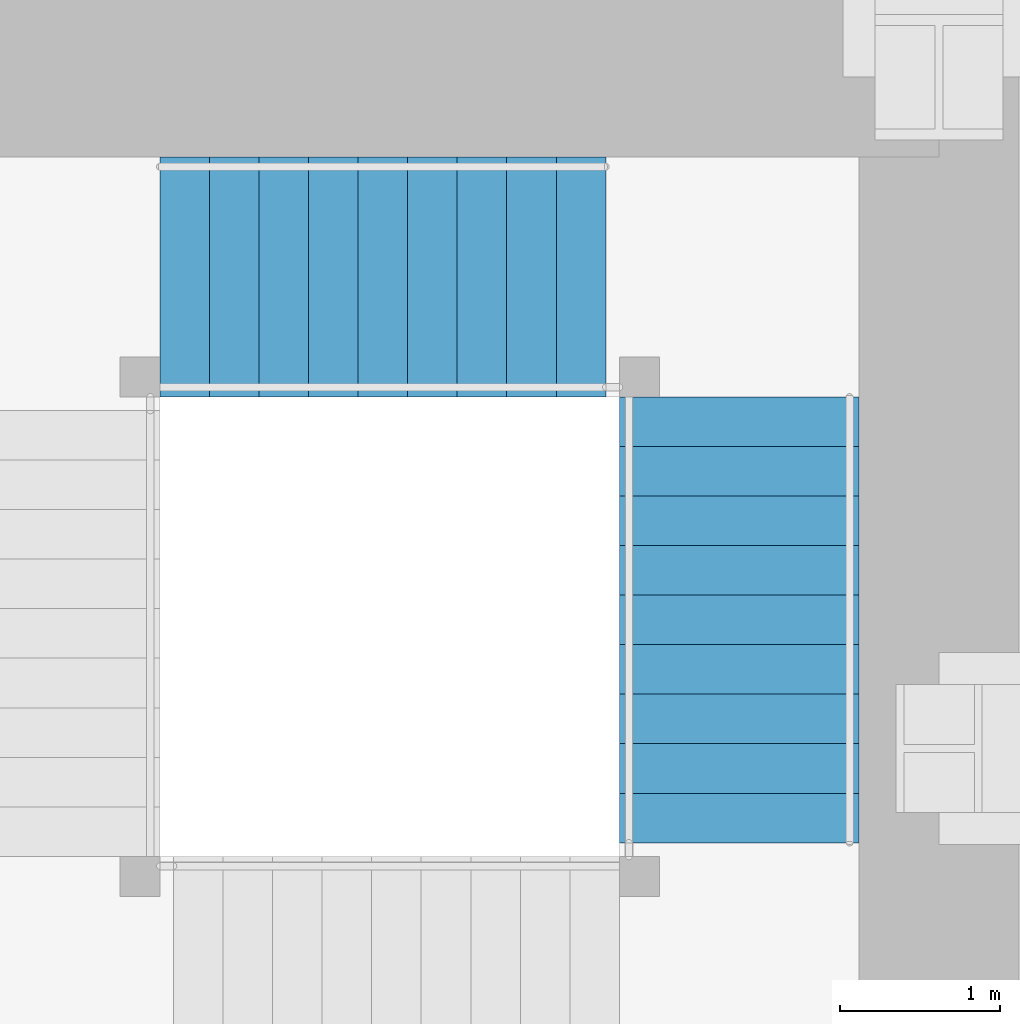
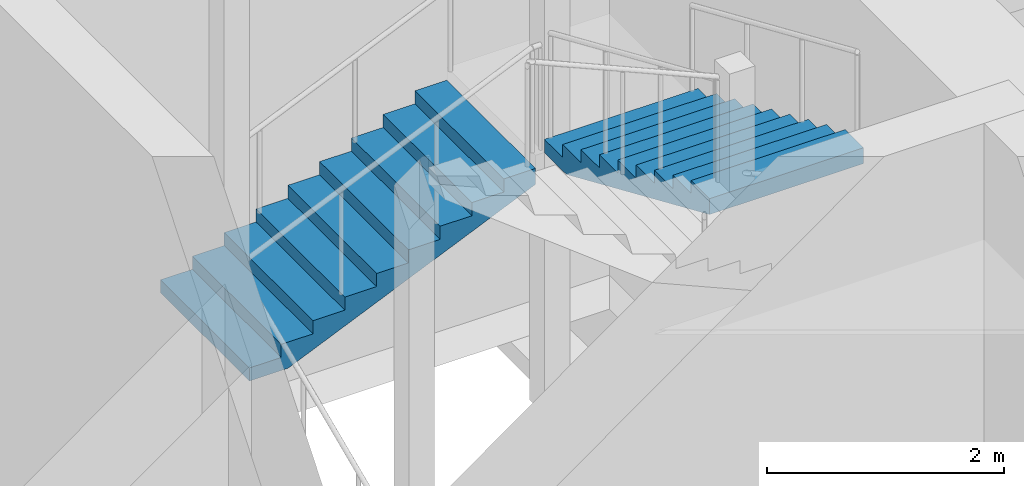
# One storey, part 13 of 16: 2 stair flights, 1 element without a shape of its own.
"""IFC4 building model written with IfcOpenShell, lengths in metres."""

from ifc_helpers import new_model, si_unit, direction, frame, origin, place, context, subcontext, project, spatial, polyline, outline, extrude, material, type_object, element, aggregate, save


model = new_model("IFC4")

# Units and contexts
model_context = context("Model", 3, precision=1e-05, world=origin(), true_north=direction((0.0, 1.0)))
body_context = subcontext(model_context, "Body", "Model", "MODEL_VIEW")
ifc_project = project(units=[si_unit("LENGTHUNIT", "METRE"), si_unit("AREAUNIT", "SQUARE_METRE"), si_unit("VOLUMEUNIT", "CUBIC_METRE"), si_unit("PLANEANGLEUNIT", "RADIAN"), si_unit("MASSUNIT", "GRAM", prefix="KILO")], contexts=[model_context])

# Site, building, storey
site_placement = place(None, origin())
site = spatial("IfcSite", under=ifc_project, at=site_placement, CompositionType="ELEMENT")
building_placement = place(site_placement, origin())
building = spatial("IfcBuilding", under=site, at=building_placement, Name="Rekha Terrace Tower", CompositionType="ELEMENT")
storey_placement = place(building_placement, frame((0.0, 0.0, 162.800048828125)))
storey = spatial("IfcBuildingStorey", under=building, at=storey_placement, Name="L41", CompositionType="ELEMENT", Elevation=162.800048828125)

# Stair, stair flights
ifc_material = material(Name="Concrete M40", Category="concrete")
stair_type = type_object("IfcStairType", Name="ST40 stair, 40 risers of 135, going 310, 1500 wide flights, 4 flights", PredefinedType="QUARTER_TURN_STAIR", material=ifc_material)
stair_placement = place(storey_placement, origin())
stair = element("IfcStair", 1, at=stair_placement, inside=storey, type_object=stair_type, Name="Stair ST2 L41 to L42", PredefinedType="QUARTER_TURN_STAIR")
stair_flight_type = type_object("IfcStairFlightType", Name="SF10 stair flight, 10 risers of 135, going 310, 1500 wide", PredefinedType="STRAIGHT", material=ifc_material)
stair_flight_1_placement = place(storey_placement, frame((45.52490234375, 44.949951171875, 1.349853515625), z_axis=(0.0, 0.0, 1.0), x_axis=(1.0, 0.0, 0.0)))
stair_flight_1 = element("IfcStairFlight", 2, at=stair_flight_1_placement, type_object=stair_flight_type, Name="ST2 flight 2", NumberOfRisers=10, NumberOfTreads=9, PredefinedType="STRAIGHT", RiserHeight=0.135, TreadLength=0.31, context=body_context, shape_type="SweptSolid", body=[
    extrude(outline(polyline([(0.0, 0.0), (0.0, 0.135009765625), (0.31005859375, 0.135009765625), (0.31005859375, 0.27001953125), (0.6201171875, 0.27001953125), (0.6201171875, 0.405029296875), (0.929931640625, 0.405029296875), (0.929931640625, 0.5400390625), (1.239990234375, 0.5400390625), (1.239990234375, 0.675048828125), (1.550048828125, 0.675048828125), (1.550048828125, 0.81005859375), (1.860107421875, 0.81005859375), (1.860107421875, 0.945068359375), (2.169921875, 0.945068359375), (2.169921875, 1.080078125), (2.47998046875, 1.080078125), (2.47998046875, 1.215087890625), (2.7900390625, 1.215087890625), (2.7900390625, 1.35009765625), (2.7900390625, 1.051513671875), (0.37548828125, 0.0), (0.0, 0.0)])), frame((0.0, 0.75, 0.0), z_axis=(0.0, -1.0, 0.0), x_axis=(1.0, 0.0, 0.0)), (0.0, 0.0, 1.0), 1.5),
])
stair_flight_2_placement = place(storey_placement, frame((49.14990234375, 44.199951171875, 2.699951171875), z_axis=(0.0, 0.0, 1.0), x_axis=(0.0, -1.0, 0.0)))
stair_flight_2 = element("IfcStairFlight", 3, at=stair_flight_2_placement, type_object=stair_flight_type, Name="ST2 flight 3", NumberOfRisers=10, NumberOfTreads=9, PredefinedType="STRAIGHT", RiserHeight=0.135, TreadLength=0.31, context=body_context, shape_type="SweptSolid", body=[
    extrude(outline(polyline([(0.0, 0.0), (0.0, 0.135009765625), (0.31005859375, 0.135009765625), (0.31005859375, 0.27001953125), (0.6201171875, 0.27001953125), (0.6201171875, 0.405029296875), (0.929931640625, 0.405029296875), (0.929931640625, 0.5400390625), (1.239990234375, 0.5400390625), (1.239990234375, 0.675048828125), (1.550048828125, 0.675048828125), (1.550048828125, 0.81005859375), (1.860107421875, 0.81005859375), (1.860107421875, 0.945068359375), (2.169921875, 0.945068359375), (2.169921875, 1.080078125), (2.47998046875, 1.080078125), (2.47998046875, 1.215087890625), (2.7900390625, 1.215087890625), (2.7900390625, 1.35009765625), (2.7900390625, 1.051513671875), (0.37548828125, 0.0), (0.0, 0.0)])), frame((0.0, 0.75, 0.0), z_axis=(0.0, -1.0, 0.0), x_axis=(1.0, 0.0, 0.0)), (0.0, 0.0, 1.0), 1.5),
])
aggregate(stair, [stair_flight_1, stair_flight_2])

save(model, "model.ifc")
